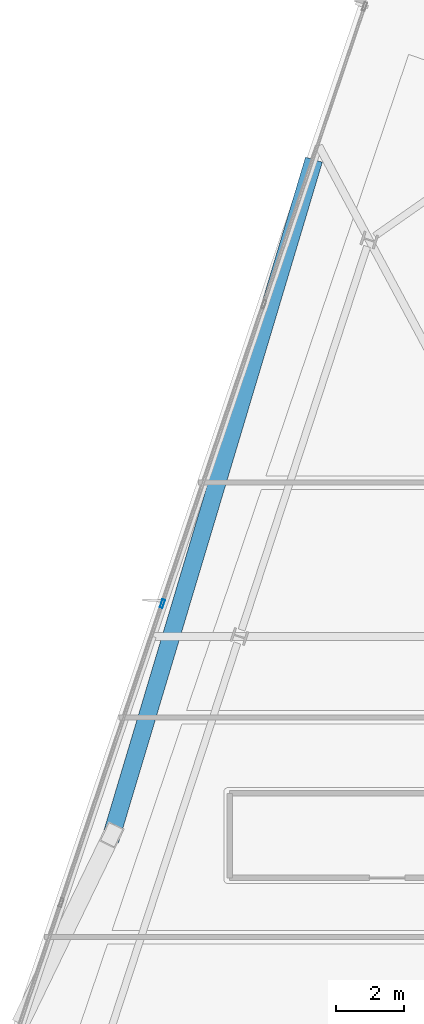
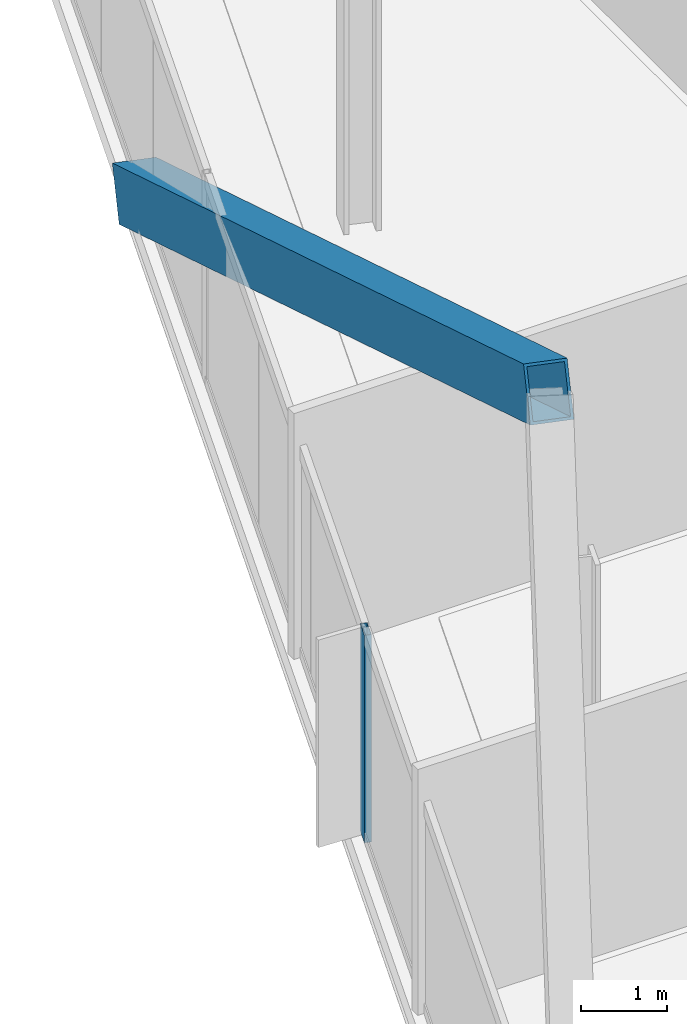
# One storey, part 13 of 29: 2 members, 1 element without a shape of its own.
"""IFC4 building model written with IfcOpenShell, lengths in metres."""

from ifc_helpers import new_model, si_unit, direction, frame, origin, origin_2d, place, context, subcontext, project, spatial, hollow_rectangle, extrude, material, material_profile, profile_set, type_object, element, aggregate, save


model = new_model("IFC4")

# Units and contexts
model_context = context("Model", 3, precision=1e-05, world=origin(), true_north=direction((0.0, 1.0)))
body_context = subcontext(model_context, "Body", "Model", "MODEL_VIEW")
ifc_project = project(units=[si_unit("LENGTHUNIT", "METRE"), si_unit("AREAUNIT", "SQUARE_METRE"), si_unit("VOLUMEUNIT", "CUBIC_METRE"), si_unit("PLANEANGLEUNIT", "RADIAN"), si_unit("MASSUNIT", "GRAM", prefix="KILO")], contexts=[model_context])

# Site, building, storey
site_placement = place(None, origin())
site = spatial("IfcSite", under=ifc_project, at=site_placement, CompositionType="ELEMENT")
building_placement = place(site_placement, origin())
building = spatial("IfcBuilding", under=site, at=building_placement, Name="Haldenkirk Collegiate Tower", CompositionType="ELEMENT")
storey_placement = place(building_placement, frame((0.0, 0.0, 267.449951171875)))
storey = spatial("IfcBuildingStorey", under=building, at=storey_placement, Name="L67", CompositionType="ELEMENT", Elevation=267.449951171875)

# Curtain wall, member
ifc_material_1 = material(Name="Anodised architectural bronze aluminium", Category="aluminium")
curtain_wall_type = type_object("IfcCurtainWallType", Name="CW-SYS1B-CONVEX-HI", PredefinedType="USERDEFINED", material=ifc_material_1)
curtain_wall_placement = place(storey_placement, origin())
curtain_wall = element("IfcCurtainWall", 1, at=curtain_wall_placement, inside=storey, type_object=curtain_wall_type, Name="L67 Upper tower high-wind convex bronze unitised curtain wall", ObjectType="UNITISED CURTAIN WALL", PredefinedType="USERDEFINED")
ifc_material_profile_1 = material_profile(ifc_material_1, hollow_rectangle(XDim=0.0849609375, YDim=0.25, WallThickness=0.0048828125, at=origin_2d()), Name="CW-MUL-1B")
ifc_profile_set_1 = profile_set([ifc_material_profile_1], Name="Anodised architectural bronze aluminium")
member_type_1 = type_object("IfcMemberType", Name="CW-MUL-1B", PredefinedType="MULLION", material=ifc_profile_set_1)
member_1_placement = place(storey_placement, frame((15.710693359375, 32.867431640625, 0.0), z_axis=(0.0, 0.0, 1.0), x_axis=(-0.947210585512, 0.320612081329, 0.0)))
member_1 = element("IfcMember", 2, at=member_1_placement, type_object=member_type_1, Name="CW-1B mullion 3", PredefinedType="MULLION", context=body_context, shape_type="SweptSolid", body=[
    extrude(hollow_rectangle(XDim=0.0849609375, YDim=0.25, WallThickness=0.0048828125, at=origin_2d()), origin(), (0.0, 0.0, 1.0), 2.93798828125),
])
aggregate(curtain_wall, [member_1])

# Member
ifc_material_2 = material(Name="Steel ASTM A572 Grade 50", Category="steel")
ifc_material_profile_2 = material_profile(ifc_material_2, hollow_rectangle(XDim=0.52001953125, YDim=0.719970703125, WallThickness=0.035888671875, at=origin_2d()), Name="BOX720X520X36")
ifc_profile_set_2 = profile_set([ifc_material_profile_2], Name="Steel ASTM A572 Grade 50")
member_type_2 = type_object("IfcMemberType", Name="MBR-MEGABRACE-BOX720X520X36", PredefinedType="BRACE", material=ifc_profile_set_2)
member_2_placement = place(storey_placement, frame((20.14453125, 45.842041015625, -0.280029296875), z_axis=(-0.252050106038, -0.841552898264, 0.477765071421), x_axis=(0.957956445106, -0.286913661716, 0.0)))
element("IfcMember", 3, at=member_2_placement, inside=storey, type_object=member_type_2, Name="Perimeter Mega Brace Z5 L67-L69 NL", PredefinedType="BRACE", context=body_context, shape_type="SweptSolid", body=[
    extrude(hollow_rectangle(XDim=0.52001953125, YDim=0.719970703125, WallThickness=0.035888671875, at=origin_2d()), origin(), (0.0, 0.0, 1.0), 23.547119140625),
])

save(model, "model.ifc")
